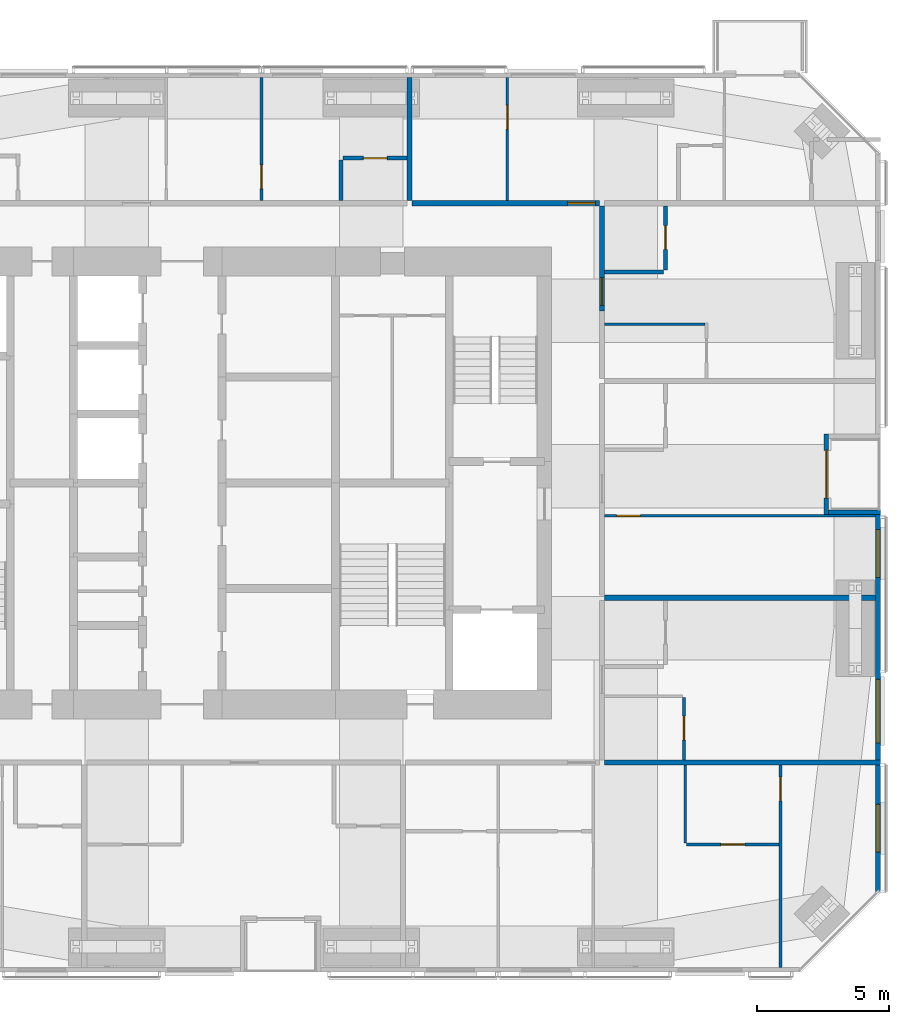
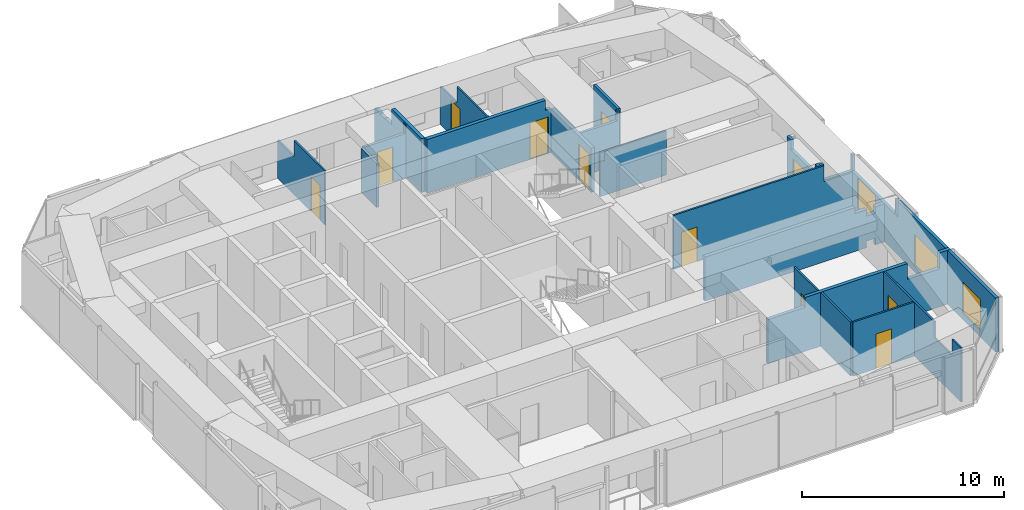
# One storey, part 17 of 19: 20 walls, 11 doors, 3 windows, 14 openings.
"""IFC4 building model written with IfcOpenShell, lengths in metres."""

from ifc_helpers import new_model, si_unit, direction, frame, frame_2d, origin, place, context, subcontext, project, spatial, polyline, rectangle, outline, extrude, material, constituent, constituent_set, type_object, element, fill, save


model = new_model("IFC4")

# Units and contexts
model_context = context("Model", 3, precision=1e-05, world=origin(), true_north=direction((0.0, 1.0)))
body_context = subcontext(model_context, "Body", "Model", "MODEL_VIEW")
ifc_project = project(units=[si_unit("LENGTHUNIT", "METRE"), si_unit("AREAUNIT", "SQUARE_METRE"), si_unit("VOLUMEUNIT", "CUBIC_METRE"), si_unit("PLANEANGLEUNIT", "RADIAN"), si_unit("MASSUNIT", "GRAM", prefix="KILO")], contexts=[model_context])

# Site, building, storey
site_placement = place(None, origin())
site = spatial("IfcSite", under=ifc_project, at=site_placement, CompositionType="ELEMENT")
building_placement = place(site_placement, origin())
building = spatial("IfcBuilding", under=site, at=building_placement, Name="Jalousie Tower", CompositionType="ELEMENT")
storey_placement = place(building_placement, frame((0.0, 0.0, 224.949951171875)))
storey = spatial("IfcBuildingStorey", under=building, at=storey_placement, Name="L61", CompositionType="ELEMENT", Elevation=224.949951171875)

# Wall, opening, door
ifc_material_1 = material(Name="Concrete block ASTM C90", Category="concrete")
ifc_constituent_1 = constituent(ifc_material_1, Name="Body")
ifc_material_2 = material(Name="Render")
ifc_constituent_2 = constituent(ifc_material_2, Name="Finish")
ifc_constituent_set_1 = constituent_set(constituents=[ifc_constituent_1, ifc_constituent_2])
wall_type_1 = type_object("IfcWallType", Name="BATHROOM WALL 150", PredefinedType="PLUMBINGWALL", material=ifc_constituent_set_1)
wall_1_placement = place(storey_placement, frame((36.175048828125, 30.77490234375, 0.0), z_axis=(0.0, 0.0, 1.0), x_axis=(1.0, 0.0, 0.0)))
wall_1 = element("IfcWall", 1, at=wall_1_placement, inside=storey, type_object=wall_type_1, Name="Bathroom Wall 150 L61", PredefinedType="PLUMBINGWALL", context=body_context, shape_type="SweptSolid", body=[
    extrude(outline(polyline([(0.0, 0.0), (2.425048828125, 0.0), (2.425048828125, 3.260009765625), (2.360107421875, 3.260009765625), (2.360107421875, 2.66015625), (0.0, 2.66015625), (0.0, 3.260009765625), (0.0, 0.0)])), frame((0.0, 0.074951171875, 0.0), z_axis=(0.0, -1.0, 0.0), x_axis=(1.0, 0.0, 0.0)), (0.0, 0.0, 1.0), 0.14990234375),
])
opening_1_placement = place(wall_1_placement, frame((0.77490234375, 0.0, 0.0)))
opening_1 = element("IfcOpeningElement", 2, at=opening_1_placement, cuts=wall_1, Name="Opening D3", PredefinedType="OPENING", context=body_context, shape_type="SweptSolid", body=[
    extrude(rectangle(XDim=0.89990234375, YDim=2.10009765625, at=frame_2d((0.449951171875, 1.050048828125))), frame((0.0, 0.0849609375, 0.0), z_axis=(0.0, -1.0, 0.0), x_axis=(1.0, 0.0, 0.0)), (0.0, 0.0, 1.0), 0.169921875),
])
ifc_material_3 = material(Name="Timber door", Category="wood")
door_type_1 = type_object("IfcDoorType", Name="BATHROOM DOOR 900", OperationType="SINGLE_SWING_LEFT", PredefinedType="DOOR", material=ifc_material_3)
door_1_placement = place(opening_1_placement, frame((0.89990234375, 0.0, 0.0), z_axis=(0.0, 0.0, 1.0), x_axis=(-1.0, 0.0, 0.0)))
door_1 = element("IfcDoor", 3, at=door_1_placement, inside=storey, type_object=door_type_1, Name="Apartment 6104 bathroom door", OperationType="SINGLE_SWING_LEFT", OverallHeight=2.10009765625, OverallWidth=0.89990234375, PredefinedType="DOOR", context=body_context, shape_type="SweptSolid", body=[
    extrude(rectangle(XDim=0.89990234375, YDim=2.10009765625, at=frame_2d((0.449951171875, 1.050048828125))), frame((0.0, 0.02490234375, 0.0), z_axis=(0.0, -1.0, 0.0), x_axis=(1.0, 0.0, 0.0)), (0.0, 0.0, 1.0), 0.050048828125),
])
fill(opening_1, door_1)

# Wall
wall_2_placement = place(storey_placement, frame((36.10009765625, 30.699951171875, 0.0), z_axis=(0.0, 0.0, 1.0), x_axis=(0.0, -1.0, 0.0)))
element("IfcWall", 4, at=wall_2_placement, inside=storey, type_object=wall_type_1, Name="Bathroom Wall 150 L61", PredefinedType="PLUMBINGWALL", context=body_context, shape_type="SweptSolid", body=[
    extrude(outline(polyline([(0.0, 0.0), (1.52490234375, 0.0), (1.52490234375, 3.260009765625), (1.52490234375, 2.66015625), (0.0, 2.66015625), (0.0, 3.260009765625), (0.0, 0.0)])), frame((0.0, 0.074951171875, 0.0), z_axis=(0.0, -1.0, 0.0), x_axis=(1.0, 0.0, 0.0)), (0.0, 0.0, 1.0), 0.14990234375),
])

# Wall, opening, door
wall_3_placement = place(storey_placement, frame((48.375, 26.550048828125, 0.0), z_axis=(0.0, 0.0, 1.0), x_axis=(0.0, 1.0, 0.0)))
wall_3 = element("IfcWall", 5, at=wall_3_placement, inside=storey, type_object=wall_type_1, Name="Bathroom Wall 150 L61", PredefinedType="PLUMBINGWALL", context=body_context, shape_type="SweptSolid", body=[
    extrude(rectangle(XDim=2.425048828125, YDim=0.14990234375, at=frame_2d((1.21240234375, 0.0))), origin(), (0.0, 0.0, 1.0), 3.260009765625),
])
opening_2_placement = place(wall_3_placement, frame((0.77490234375, 0.0, 0.0)))
opening_2 = element("IfcOpeningElement", 6, at=opening_2_placement, cuts=wall_3, Name="Opening D3", PredefinedType="OPENING", context=body_context, shape_type="SweptSolid", body=[
    extrude(rectangle(XDim=0.89990234375, YDim=2.10009765625, at=frame_2d((0.449951171875, 1.050048828125))), frame((0.0, 0.0849609375, 0.0), z_axis=(0.0, -1.0, 0.0), x_axis=(1.0, 0.0, 0.0)), (0.0, 0.0, 1.0), 0.169921875),
])
door_2_placement = place(opening_2_placement, origin())
door_2 = element("IfcDoor", 7, at=door_2_placement, inside=storey, type_object=door_type_1, Name="Apartment 6108 bathroom door", OperationType="SINGLE_SWING_RIGHT", OverallHeight=2.10009765625, OverallWidth=0.89990234375, PredefinedType="DOOR", context=body_context, shape_type="SweptSolid", body=[
    extrude(rectangle(XDim=0.89990234375, YDim=2.10009765625, at=frame_2d((0.449951171875, 1.050048828125))), frame((0.0, 0.02490234375, 0.0), z_axis=(0.0, -1.0, 0.0), x_axis=(1.0, 0.0, 0.0)), (0.0, 0.0, 1.0), 0.050048828125),
])
fill(opening_2, door_2)

# Wall
wall_4_placement = place(storey_placement, frame((48.300048828125, 26.47509765625, 0.0), z_axis=(0.0, 0.0, 1.0), x_axis=(-1.0, 0.0, 0.0)))
element("IfcWall", 8, at=wall_4_placement, inside=storey, type_object=wall_type_1, Name="Bathroom Wall 150 L61", PredefinedType="PLUMBINGWALL", context=body_context, shape_type="SweptSolid", body=[
    extrude(outline(polyline([(0.0, 0.0), (2.22509765625, 0.0), (2.22509765625, 3.260009765625), (2.22509765625, 2.66015625), (0.139892578125, 2.66015625), (0.139892578125, 3.260009765625), (0.0, 3.260009765625), (0.0, 0.0)])), frame((0.0, 0.074951171875, 0.0), z_axis=(0.0, -1.0, 0.0), x_axis=(1.0, 0.0, 0.0)), (0.0, 0.0, 1.0), 0.14990234375),
])

# Wall, opening, door
ifc_material_4 = material(Name="Concrete block ASTM C90", Category="concrete")
ifc_constituent_3 = constituent(ifc_material_4, Name="Body")
ifc_material_5 = material(Name="Render")
ifc_constituent_4 = constituent(ifc_material_5, Name="Finish")
ifc_constituent_set_2 = constituent_set(constituents=[ifc_constituent_3, ifc_constituent_4])
wall_type_2 = type_object("IfcWallType", Name="CORRIDOR WALL 200", PredefinedType="PARTITIONING", material=ifc_constituent_set_2)
wall_5_placement = place(storey_placement, frame((38.800048828125, 29.074951171875, 0.0), z_axis=(0.0, 0.0, 1.0), x_axis=(1.0, 0.0, 0.0)))
wall_5 = element("IfcWall", 9, at=wall_5_placement, inside=storey, type_object=wall_type_2, Name="Corridor Wall 200 L61", PredefinedType="PARTITIONING", context=body_context, shape_type="SweptSolid", body=[
    extrude(outline(polyline([(0.0, 0.0), (7.074951171875, 0.0), (7.074951171875, 3.260009765625), (7.074951171875, 2.66015625), (6.764892578125, 2.66015625), (6.764892578125, 3.260009765625), (0.0, 3.260009765625), (0.0, 0.0)])), frame((0.0, 0.10009765625, 0.0), z_axis=(0.0, -1.0, 0.0), x_axis=(1.0, 0.0, 0.0)), (0.0, 0.0, 1.0), 0.199951171875),
])
opening_3_placement = place(wall_5_placement, frame((5.875, 0.0, 0.0)))
opening_3 = element("IfcOpeningElement", 10, at=opening_3_placement, cuts=wall_5, Name="Opening D1", PredefinedType="OPENING", context=body_context, shape_type="SweptSolid", body=[
    extrude(rectangle(XDim=1.050048828125, YDim=2.199951171875, at=frame_2d((0.52490234375, 1.10009765625))), frame((0.0, 0.10986328125, 0.0), z_axis=(0.0, -1.0, 0.0), x_axis=(1.0, 0.0, 0.0)), (0.0, 0.0, 1.0), 0.219970703125),
])
ifc_material_6 = material(Name="Timber fire door", Category="wood")
door_type_2 = type_object("IfcDoorType", Name="APARTMENT ENTRANCE DOOR 1050", OperationType="SINGLE_SWING_LEFT", PredefinedType="DOOR", material=ifc_material_6)
door_3_placement = place(opening_3_placement, origin())
door_3 = element("IfcDoor", 11, at=door_3_placement, inside=storey, type_object=door_type_2, Name="Apartment 6105 entrance", OperationType="SINGLE_SWING_LEFT", OverallHeight=2.199951171875, OverallWidth=1.050048828125, PredefinedType="DOOR", context=body_context, shape_type="SweptSolid", body=[
    extrude(rectangle(XDim=1.050048828125, YDim=2.199951171875, at=frame_2d((0.52490234375, 1.10009765625))), frame((0.0, 0.02490234375, 0.0), z_axis=(0.0, -1.0, 0.0), x_axis=(1.0, 0.0, 0.0)), (0.0, 0.0, 1.0), 0.050048828125),
])
fill(opening_3, door_3)

wall_6_placement = place(storey_placement, frame((45.97509765625, 25.0, 0.0), z_axis=(0.0, 0.0, 1.0), x_axis=(0.0, 1.0, 0.0)))
wall_6 = element("IfcWall", 12, at=wall_6_placement, inside=storey, type_object=wall_type_2, Name="Corridor Wall 200 L61-B", PredefinedType="PARTITIONING", context=body_context, shape_type="SweptSolid", body=[
    extrude(rectangle(XDim=3.97509765625, YDim=0.199951171875, at=frame_2d((1.987548828125, 0.0))), origin(), (0.0, 0.0, 1.0), 2.66015625),
])
opening_4_placement = place(wall_6_placement, frame((0.21240234375, 0.0, 0.0)))
opening_4 = element("IfcOpeningElement", 13, at=opening_4_placement, cuts=wall_6, Name="Opening D1", PredefinedType="OPENING", context=body_context, shape_type="SweptSolid", body=[
    extrude(rectangle(XDim=1.050048828125, YDim=2.199951171875, at=frame_2d((0.52490234375, 1.10009765625))), frame((0.0, 0.10986328125, 0.0), z_axis=(0.0, -1.0, 0.0), x_axis=(1.0, 0.0, 0.0)), (0.0, 0.0, 1.0), 0.219970703125),
])
door_4_placement = place(opening_4_placement, frame((1.050048828125, 0.0, 0.0), z_axis=(0.0, 0.0, 1.0), x_axis=(-1.0, 0.0, 0.0)))
door_4 = element("IfcDoor", 14, at=door_4_placement, inside=storey, type_object=door_type_2, Name="Apartment 6108 entrance", OperationType="SINGLE_SWING_LEFT", OverallHeight=2.199951171875, OverallWidth=1.050048828125, PredefinedType="DOOR", context=body_context, shape_type="SweptSolid", body=[
    extrude(rectangle(XDim=1.050048828125, YDim=2.199951171875, at=frame_2d((0.52490234375, 1.10009765625))), frame((0.0, 0.02490234375, 0.0), z_axis=(0.0, -1.0, 0.0), x_axis=(1.0, 0.0, 0.0)), (0.0, 0.0, 1.0), 0.050048828125),
])
fill(opening_4, door_4)

# Wall, openings, windows
ifc_material_7 = material(Name="Concrete f'c 40 MPa", Category="concrete")
ifc_constituent_5 = constituent(ifc_material_7, Name="Body")
ifc_material_8 = material(Name="Render, pastel sky blue")
ifc_constituent_6 = constituent(ifc_material_8, Name="Finish")
ifc_constituent_set_3 = constituent_set(constituents=[ifc_constituent_5, ifc_constituent_6])
wall_type_3 = type_object("IfcWallType", Name="EXTERNAL WALL 175 SKY BLUE RENDER", PredefinedType="SOLIDWALL", material=ifc_constituent_set_3)
wall_7_placement = place(storey_placement, frame((56.41259765625, 3.05126953125, 0.0), z_axis=(0.0, 0.0, 1.0), x_axis=(0.0, 1.0, 0.0)))
wall_7 = element("IfcWall", 15, at=wall_7_placement, inside=storey, type_object=wall_type_3, Name="External Wall 175 Sky Blue Render L61", PredefinedType="SOLIDWALL", context=body_context, shape_type="SweptSolid", body=[
    extrude(outline(polyline([(0.0, 0.0), (14.248779296875, 0.0), (14.248779296875, 2.300048828125), (9.94873046875, 2.300048828125), (9.94873046875, 3.260009765625), (9.8583984375, 3.260009765625), (9.8583984375, 2.300048828125), (9.6875, 2.300048828125), (9.6875, 3.260009765625), (0.0, 3.260009765625), (0.0, 0.0)])), frame((0.0, 0.08740234375, 0.0), z_axis=(0.0, -1.0, 0.0), x_axis=(1.0, 0.0, 0.0)), (0.0, 0.0, 1.0), 0.175048828125),
])
opening_5_placement = place(wall_7_placement, frame((1.48681640625, 0.0, 0.39990234375)))
opening_5 = element("IfcOpeningElement", 16, at=opening_5_placement, cuts=wall_7, Name="Opening W-BED185", PredefinedType="OPENING", context=body_context, shape_type="SweptSolid", body=[
    extrude(rectangle(XDim=1.800048828125, YDim=1.85009765625, at=frame_2d((0.89990234375, 0.925048828125))), frame((0.0, 0.097412109375, 0.0), z_axis=(0.0, -1.0, 0.0), x_axis=(1.0, 0.0, 0.0)), (0.0, 0.0, 1.0), 0.195068359375),
])
opening_6_placement = place(wall_7_placement, frame((5.6162109375, 0.0, 0.39990234375)))
opening_6 = element("IfcOpeningElement", 17, at=opening_6_placement, cuts=wall_7, Name="Opening W-LIV185", PredefinedType="OPENING", context=body_context, shape_type="SweptSolid", body=[
    extrude(rectangle(XDim=2.39990234375, YDim=1.85009765625, at=frame_2d((1.199951171875, 0.925048828125))), frame((0.0, 0.097412109375, 0.0), z_axis=(0.0, -1.0, 0.0), x_axis=(1.0, 0.0, 0.0)), (0.0, 0.0, 1.0), 0.195068359375),
])
opening_7_placement = place(wall_7_placement, frame((11.875, 0.0, 0.39990234375)))
opening_7 = element("IfcOpeningElement", 18, at=opening_7_placement, cuts=wall_7, Name="Opening W-BED185", PredefinedType="OPENING", context=body_context, shape_type="SweptSolid", body=[
    extrude(rectangle(XDim=1.800048828125, YDim=1.85009765625, at=frame_2d((0.89990234375, 0.925048828125))), frame((0.0, 0.097412109375, 0.0), z_axis=(0.0, -1.0, 0.0), x_axis=(1.0, 0.0, 0.0)), (0.0, 0.0, 1.0), 0.195068359375),
])
ifc_material_9 = material(Name="Aluminium frame, impact-rated glazing", Category="aluminium")
window_type_1 = type_object("IfcWindowType", Name="WINDOW BED 1800x1850", PartitioningType="SINGLE_PANEL", PredefinedType="WINDOW", material=ifc_material_9)
window_1_placement = place(opening_5_placement, origin())
window_1 = element("IfcWindow", 19, at=window_1_placement, inside=storey, type_object=window_type_1, Name="Apartment 6103 study window", OverallHeight=1.85009765625, OverallWidth=1.800048828125, PartitioningType="SINGLE_PANEL", PredefinedType="WINDOW", context=body_context, shape_type="SweptSolid", body=[
    extrude(rectangle(XDim=1.800048828125, YDim=1.85009765625, at=frame_2d((0.89990234375, 0.925048828125))), frame((0.0, 0.030029296875, 0.0), z_axis=(0.0, -1.0, 0.0), x_axis=(1.0, 0.0, 0.0)), (0.0, 0.0, 1.0), 0.06005859375),
])
fill(opening_5, window_1)
window_2_placement = place(opening_7_placement, origin())
window_2 = element("IfcWindow", 20, at=window_2_placement, inside=storey, type_object=window_type_1, Name="Apartment 6107 study window", OverallHeight=1.85009765625, OverallWidth=1.800048828125, PartitioningType="SINGLE_PANEL", PredefinedType="WINDOW", context=body_context, shape_type="SweptSolid", body=[
    extrude(rectangle(XDim=1.800048828125, YDim=1.85009765625, at=frame_2d((0.89990234375, 0.925048828125))), frame((0.0, 0.030029296875, 0.0), z_axis=(0.0, -1.0, 0.0), x_axis=(1.0, 0.0, 0.0)), (0.0, 0.0, 1.0), 0.06005859375),
])
fill(opening_7, window_2)
ifc_material_10 = material(Name="Aluminium frame, impact-rated glazing", Category="aluminium")
window_type_2 = type_object("IfcWindowType", Name="WINDOW LIV 2400x1850", PartitioningType="DOUBLE_PANEL_VERTICAL", PredefinedType="WINDOW", material=ifc_material_10)
window_3_placement = place(opening_6_placement, origin())
window_3 = element("IfcWindow", 21, at=window_3_placement, inside=storey, type_object=window_type_2, Name="Apartment 6106 studio living and sleeping room window", OverallHeight=1.85009765625, OverallWidth=2.39990234375, PartitioningType="SINGLE_PANEL", PredefinedType="WINDOW", context=body_context, shape_type="SweptSolid", body=[
    extrude(rectangle(XDim=2.39990234375, YDim=1.85009765625, at=frame_2d((1.199951171875, 0.925048828125))), frame((0.0, 0.030029296875, 0.0), z_axis=(0.0, -1.0, 0.0), x_axis=(1.0, 0.0, 0.0)), (0.0, 0.0, 1.0), 0.06005859375),
])
fill(opening_6, window_3)

# Wall, opening, door
wall_8_placement = place(storey_placement, frame((54.46240234375, 17.300048828125, 0.0), z_axis=(0.0, 0.0, 1.0), x_axis=(0.0, 1.0, 0.0)))
wall_8 = element("IfcWall", 22, at=wall_8_placement, inside=storey, type_object=wall_type_3, Name="External Wall 175 Sky Blue Render L61", PredefinedType="SOLIDWALL", context=body_context, shape_type="SweptSolid", body=[
    extrude(outline(polyline([(0.0, 0.0), (3.050048828125, 0.0), (3.050048828125, 3.260009765625), (2.64990234375, 3.260009765625), (2.64990234375, 2.66015625), (0.25, 2.66015625), (0.25, 3.260009765625), (0.0, 3.260009765625), (0.0, 0.0)])), frame((0.0, 0.08740234375, 0.0), z_axis=(0.0, -1.0, 0.0), x_axis=(1.0, 0.0, 0.0)), (0.0, 0.0, 1.0), 0.175048828125),
])
opening_8_placement = place(wall_8_placement, frame((0.625, 0.0, 0.0)))
opening_8 = element("IfcOpeningElement", 23, at=opening_8_placement, cuts=wall_8, Name="Opening D-BAL22", PredefinedType="OPENING", context=body_context, shape_type="SweptSolid", body=[
    extrude(rectangle(XDim=1.800048828125, YDim=2.25, at=frame_2d((0.89990234375, 1.125))), frame((0.0, 0.097412109375, 0.0), z_axis=(0.0, -1.0, 0.0), x_axis=(1.0, 0.0, 0.0)), (0.0, 0.0, 1.0), 0.195068359375),
])
ifc_material_11 = material(Name="Aluminium frame, impact-rated glazing", Category="aluminium")
door_type_3 = type_object("IfcDoorType", Name="BALCONY DOOR 1800x2250", OperationType="SLIDING_TO_LEFT", PredefinedType="DOOR", material=ifc_material_11)
door_5_placement = place(opening_8_placement, origin())
door_5 = element("IfcDoor", 24, at=door_5_placement, inside=storey, type_object=door_type_3, Name="Apartment 6107 studio kitchen, living and sleeping room loggia door", OperationType="SLIDING_TO_LEFT", OverallHeight=2.25, OverallWidth=1.800048828125, PredefinedType="DOOR", context=body_context, shape_type="SweptSolid", body=[
    extrude(rectangle(XDim=1.800048828125, YDim=2.25, at=frame_2d((0.89990234375, 1.125))), frame((0.0, 0.02490234375, 0.0), z_axis=(0.0, -1.0, 0.0), x_axis=(1.0, 0.0, 0.0)), (0.0, 0.0, 1.0), 0.050048828125),
])
fill(opening_8, door_5)

# Wall
wall_9_placement = place(storey_placement, frame((56.5, 17.387451171875, 0.0), z_axis=(0.0, 0.0, 1.0), x_axis=(-1.0, 0.0, 0.0)))
element("IfcWall", 25, at=wall_9_placement, inside=storey, type_object=wall_type_3, Name="External Wall 175 Sky Blue Render L61", PredefinedType="SOLIDWALL", context=body_context, shape_type="SweptSolid", body=[
    extrude(outline(polyline([(0.0, 0.0), (1.949951171875, 0.0), (1.949951171875, 3.260009765625), (1.75, 3.260009765625), (1.75, 2.300048828125), (0.14990234375, 2.300048828125), (0.14990234375, 3.260009765625), (0.0, 3.260009765625), (0.0, 0.0)])), frame((0.0, 0.08740234375, 0.0), z_axis=(0.0, -1.0, 0.0), x_axis=(1.0, 0.0, 0.0)), (0.0, 0.0, 1.0), 0.175048828125),
])

# Wall, opening, door
ifc_material_12 = material(Name="Gypsum board", Category="gypsum")
ifc_constituent_7 = constituent(ifc_material_12, Name="Body")
ifc_material_13 = material(Name="Light-gauge steel studs ASTM A653 SS Grade 33", Category="steel")
ifc_constituent_8 = constituent(ifc_material_13, Name="Framing")
ifc_constituent_set_4 = constituent_set(constituents=[ifc_constituent_7, ifc_constituent_8])
wall_type_4 = type_object("IfcWallType", Name="PARTITION 100", PredefinedType="PARTITIONING", material=ifc_constituent_set_4)
wall_10_placement = place(storey_placement, frame((52.72509765625, 0.175048828125, 0.0), z_axis=(0.0, 0.0, 1.0), x_axis=(0.0, 1.0, 0.0)))
wall_10 = element("IfcWall", 26, at=wall_10_placement, inside=storey, type_object=wall_type_4, Name="Partition 100 L61", PredefinedType="PARTITIONING", context=body_context, shape_type="SweptSolid", body=[
    extrude(outline(polyline([(0.0, 0.0), (7.64990234375, 0.0), (7.64990234375, 3.260009765625), (2.638671875, 3.260009765625), (2.638671875, 2.300048828125), (0.89404296875, 2.300048828125), (0.89404296875, 3.260009765625), (0.0, 3.260009765625), (0.0, 0.0)])), frame((0.0, 0.050048828125, 0.0), z_axis=(0.0, -1.0, 0.0), x_axis=(1.0, 0.0, 0.0)), (0.0, 0.0, 1.0), 0.10009765625),
])
opening_9_placement = place(wall_10_placement, frame((6.300048828125, 0.0, 0.0)))
opening_9 = element("IfcOpeningElement", 27, at=opening_9_placement, cuts=wall_10, Name="Opening D2", PredefinedType="OPENING", context=body_context, shape_type="SweptSolid", body=[
    extrude(rectangle(XDim=0.89990234375, YDim=2.10009765625, at=frame_2d((0.449951171875, 1.050048828125))), frame((0.0, 0.06005859375, 0.0), z_axis=(0.0, -1.0, 0.0), x_axis=(1.0, 0.0, 0.0)), (0.0, 0.0, 1.0), 0.1201171875),
])
ifc_material_14 = material(Name="Timber door", Category="wood")
door_type_4 = type_object("IfcDoorType", Name="BEDROOM DOOR 900", OperationType="SINGLE_SWING_LEFT", PredefinedType="DOOR", material=ifc_material_14)
door_6_placement = place(opening_9_placement, frame((0.89990234375, 0.0, 0.0), z_axis=(0.0, 0.0, 1.0), x_axis=(-1.0, 0.0, 0.0)))
door_6 = element("IfcDoor", 28, at=door_6_placement, inside=storey, type_object=door_type_4, Name="Apartment 6103 study door", OperationType="SINGLE_SWING_LEFT", OverallHeight=2.10009765625, OverallWidth=0.89990234375, PredefinedType="DOOR", context=body_context, shape_type="SweptSolid", body=[
    extrude(rectangle(XDim=0.89990234375, YDim=2.10009765625, at=frame_2d((0.449951171875, 1.050048828125))), frame((0.0, 0.02490234375, 0.0), z_axis=(0.0, -1.0, 0.0), x_axis=(1.0, 0.0, 0.0)), (0.0, 0.0, 1.0), 0.050048828125),
])
fill(opening_9, door_6)

wall_11_placement = place(storey_placement, frame((49.175048828125, 4.824951171875, 0.0), z_axis=(0.0, 0.0, 1.0), x_axis=(1.0, 0.0, 0.0)))
wall_11 = element("IfcWall", 29, at=wall_11_placement, inside=storey, type_object=wall_type_4, Name="Partition 100 L61", PredefinedType="PARTITIONING", context=body_context, shape_type="SweptSolid", body=[
    extrude(rectangle(XDim=3.5, YDim=0.10009765625, at=frame_2d((1.75, 0.0))), origin(), (0.0, 0.0, 1.0), 3.260009765625),
])
opening_10_placement = place(wall_11_placement, frame((1.300048828125, 0.0, 0.0)))
opening_10 = element("IfcOpeningElement", 30, at=opening_10_placement, cuts=wall_11, Name="Opening D7", PredefinedType="OPENING", context=body_context, shape_type="SweptSolid", body=[
    extrude(rectangle(XDim=0.89990234375, YDim=2.10009765625, at=frame_2d((0.449951171875, 1.050048828125))), frame((0.0, 0.06005859375, 0.0), z_axis=(0.0, -1.0, 0.0), x_axis=(1.0, 0.0, 0.0)), (0.0, 0.0, 1.0), 0.1201171875),
])
ifc_material_15 = material(Name="Timber door", Category="wood")
door_type_5 = type_object("IfcDoorType", Name="INTERNAL DOOR 900", OperationType="SINGLE_SWING_LEFT", PredefinedType="DOOR", material=ifc_material_15)
door_7_placement = place(opening_10_placement, frame((0.89990234375, 0.0, 0.0), z_axis=(0.0, 0.0, 1.0), x_axis=(-1.0, 0.0, 0.0)))
door_7 = element("IfcDoor", 31, at=door_7_placement, inside=storey, type_object=door_type_5, Name="Apartment 6103 kitchen door", OperationType="SINGLE_SWING_LEFT", OverallHeight=2.10009765625, OverallWidth=0.89990234375, PredefinedType="DOOR", context=body_context, shape_type="SweptSolid", body=[
    extrude(rectangle(XDim=0.89990234375, YDim=2.10009765625, at=frame_2d((0.449951171875, 1.050048828125))), frame((0.0, 0.02490234375, 0.0), z_axis=(0.0, -1.0, 0.0), x_axis=(1.0, 0.0, 0.0)), (0.0, 0.0, 1.0), 0.050048828125),
])
fill(opening_10, door_7)

# Wall
wall_12_placement = place(storey_placement, frame((49.125, 4.875, 0.0), z_axis=(0.0, 0.0, 1.0), x_axis=(0.0, 1.0, 0.0)))
element("IfcWall", 32, at=wall_12_placement, inside=storey, type_object=wall_type_4, Name="Partition 100 L61", PredefinedType="PARTITIONING", context=body_context, shape_type="SweptSolid", body=[
    extrude(rectangle(XDim=2.949951171875, YDim=0.10009765625, at=frame_2d((1.47509765625, 0.0))), origin(), (0.0, 0.0, 1.0), 3.260009765625),
])

# Wall, opening, door
wall_13_placement = place(storey_placement, frame((33.10009765625, 33.824951171875, 0.0), z_axis=(0.0, 0.0, 1.0), x_axis=(0.0, -1.0, 0.0)))
wall_13 = element("IfcWall", 33, at=wall_13_placement, inside=storey, type_object=wall_type_4, Name="Partition 100 L61", PredefinedType="PARTITIONING", context=body_context, shape_type="SweptSolid", body=[
    extrude(outline(polyline([(0.0, 0.0), (4.64990234375, 0.0), (4.64990234375, 3.260009765625), (1.635009765625, 3.260009765625), (1.635009765625, 2.300048828125), (0.0, 2.300048828125), (0.0, 3.260009765625), (0.0, 0.0)])), frame((0.0, 0.050048828125, 0.0), z_axis=(0.0, -1.0, 0.0), x_axis=(1.0, 0.0, 0.0)), (0.0, 0.0, 1.0), 0.10009765625),
])
opening_11_placement = place(wall_13_placement, frame((3.300048828125, 0.0, 0.0)))
opening_11 = element("IfcOpeningElement", 34, at=opening_11_placement, cuts=wall_13, Name="Opening D2", PredefinedType="OPENING", context=body_context, shape_type="SweptSolid", body=[
    extrude(rectangle(XDim=0.89990234375, YDim=2.10009765625, at=frame_2d((0.449951171875, 1.050048828125))), frame((0.0, 0.06005859375, 0.0), z_axis=(0.0, -1.0, 0.0), x_axis=(1.0, 0.0, 0.0)), (0.0, 0.0, 1.0), 0.1201171875),
])
door_8_placement = place(opening_11_placement, frame((0.89990234375, 0.0, 0.0), z_axis=(0.0, 0.0, 1.0), x_axis=(-1.0, 0.0, 0.0)))
door_8 = element("IfcDoor", 35, at=door_8_placement, inside=storey, type_object=door_type_4, Name="Apartment 6104 bedroom 1 door", OperationType="SINGLE_SWING_LEFT", OverallHeight=2.10009765625, OverallWidth=0.89990234375, PredefinedType="DOOR", context=body_context, shape_type="SweptSolid", body=[
    extrude(rectangle(XDim=0.89990234375, YDim=2.10009765625, at=frame_2d((0.449951171875, 1.050048828125))), frame((0.0, 0.02490234375, 0.0), z_axis=(0.0, -1.0, 0.0), x_axis=(1.0, 0.0, 0.0)), (0.0, 0.0, 1.0), 0.050048828125),
])
fill(opening_11, door_8)

wall_14_placement = place(storey_placement, frame((42.39990234375, 33.824951171875, 0.0), z_axis=(0.0, 0.0, 1.0), x_axis=(0.0, -1.0, 0.0)))
wall_14 = element("IfcWall", 36, at=wall_14_placement, inside=storey, type_object=wall_type_4, Name="Partition 100 L61", PredefinedType="PARTITIONING", context=body_context, shape_type="SweptSolid", body=[
    extrude(outline(polyline([(0.0, 0.0), (4.64990234375, 0.0), (4.64990234375, 3.260009765625), (1.635009765625, 3.260009765625), (1.635009765625, 2.300048828125), (0.0, 2.300048828125), (0.0, 3.260009765625), (0.0, 0.0)])), frame((0.0, 0.050048828125, 0.0), z_axis=(0.0, -1.0, 0.0), x_axis=(1.0, 0.0, 0.0)), (0.0, 0.0, 1.0), 0.10009765625),
])
opening_12_placement = place(wall_14_placement, frame((1.050048828125, 0.0, 0.0)))
opening_12 = element("IfcOpeningElement", 37, at=opening_12_placement, cuts=wall_14, Name="Opening D2", PredefinedType="OPENING", context=body_context, shape_type="SweptSolid", body=[
    extrude(rectangle(XDim=0.89990234375, YDim=2.10009765625, at=frame_2d((0.449951171875, 1.050048828125))), frame((0.0, 0.06005859375, 0.0), z_axis=(0.0, -1.0, 0.0), x_axis=(1.0, 0.0, 0.0)), (0.0, 0.0, 1.0), 0.1201171875),
])
door_9_placement = place(opening_12_placement, frame((0.89990234375, 0.0, 0.0), z_axis=(0.0, 0.0, 1.0), x_axis=(-1.0, 0.0, 0.0)))
door_9 = element("IfcDoor", 38, at=door_9_placement, inside=storey, type_object=door_type_4, Name="Apartment 6105 bedroom 2 door", OperationType="SINGLE_SWING_RIGHT", OverallHeight=2.10009765625, OverallWidth=0.89990234375, PredefinedType="DOOR", context=body_context, shape_type="SweptSolid", body=[
    extrude(rectangle(XDim=0.89990234375, YDim=2.10009765625, at=frame_2d((0.449951171875, 1.050048828125))), frame((0.0, 0.02490234375, 0.0), z_axis=(0.0, -1.0, 0.0), x_axis=(1.0, 0.0, 0.0)), (0.0, 0.0, 1.0), 0.050048828125),
])
fill(opening_12, door_9)

wall_15_placement = place(storey_placement, frame((49.074951171875, 8.02490234375, 0.0), z_axis=(0.0, 0.0, 1.0), x_axis=(0.0, 1.0, 0.0)))
wall_15 = element("IfcWall", 39, at=wall_15_placement, inside=storey, type_object=wall_type_4, Name="Partition 100 L61", PredefinedType="PARTITIONING", context=body_context, shape_type="SweptSolid", body=[
    extrude(rectangle(XDim=2.35009765625, YDim=0.10009765625, at=frame_2d((1.175048828125, 0.0))), origin(), (0.0, 0.0, 1.0), 3.260009765625),
])
opening_13_placement = place(wall_15_placement, frame((0.75, 0.0, 0.0)))
opening_13 = element("IfcOpeningElement", 40, at=opening_13_placement, cuts=wall_15, Name="Opening D7", PredefinedType="OPENING", context=body_context, shape_type="SweptSolid", body=[
    extrude(rectangle(XDim=0.89990234375, YDim=2.10009765625, at=frame_2d((0.449951171875, 1.050048828125))), frame((0.0, 0.06005859375, 0.0), z_axis=(0.0, -1.0, 0.0), x_axis=(1.0, 0.0, 0.0)), (0.0, 0.0, 1.0), 0.1201171875),
])
door_10_placement = place(opening_13_placement, origin())
door_10 = element("IfcDoor", 41, at=door_10_placement, inside=storey, type_object=door_type_5, Name="Apartment 6106 kitchen door", OperationType="SINGLE_SWING_RIGHT", OverallHeight=2.10009765625, OverallWidth=0.89990234375, PredefinedType="DOOR", context=body_context, shape_type="SweptSolid", body=[
    extrude(rectangle(XDim=0.89990234375, YDim=2.10009765625, at=frame_2d((0.449951171875, 1.050048828125))), frame((0.0, 0.02490234375, 0.0), z_axis=(0.0, -1.0, 0.0), x_axis=(1.0, 0.0, 0.0)), (0.0, 0.0, 1.0), 0.050048828125),
])
fill(opening_13, door_10)

wall_16_placement = place(storey_placement, frame((56.324951171875, 17.25, 0.0), z_axis=(0.0, 0.0, 1.0), x_axis=(-1.0, 0.0, 0.0)))
wall_16 = element("IfcWall", 42, at=wall_16_placement, inside=storey, type_object=wall_type_4, Name="Partition 100 L61", PredefinedType="PARTITIONING", context=body_context, shape_type="SweptSolid", body=[
    extrude(outline(polyline([(0.0, 0.0), (10.25, 0.0), (10.25, 3.260009765625), (1.635009765625, 3.260009765625), (1.635009765625, 2.300048828125), (0.0, 2.300048828125), (0.0, 3.260009765625), (0.0, 0.0)])), frame((0.0, 0.050048828125, 0.0), z_axis=(0.0, -1.0, 0.0), x_axis=(1.0, 0.0, 0.0)), (0.0, 0.0, 1.0), 0.10009765625),
])
opening_14_placement = place(wall_16_placement, frame((8.89990234375, 0.0, 0.0)))
opening_14 = element("IfcOpeningElement", 43, at=opening_14_placement, cuts=wall_16, Name="Opening D2", PredefinedType="OPENING", context=body_context, shape_type="SweptSolid", body=[
    extrude(rectangle(XDim=0.89990234375, YDim=2.10009765625, at=frame_2d((0.449951171875, 1.050048828125))), frame((0.0, 0.06005859375, 0.0), z_axis=(0.0, -1.0, 0.0), x_axis=(1.0, 0.0, 0.0)), (0.0, 0.0, 1.0), 0.1201171875),
])
door_11_placement = place(opening_14_placement, origin())
door_11 = element("IfcDoor", 44, at=door_11_placement, inside=storey, type_object=door_type_4, Name="Apartment 6107 study door", OperationType="SINGLE_SWING_RIGHT", OverallHeight=2.10009765625, OverallWidth=0.89990234375, PredefinedType="DOOR", context=body_context, shape_type="SweptSolid", body=[
    extrude(rectangle(XDim=0.89990234375, YDim=2.10009765625, at=frame_2d((0.449951171875, 1.050048828125))), frame((0.0, 0.02490234375, 0.0), z_axis=(0.0, -1.0, 0.0), x_axis=(1.0, 0.0, 0.0)), (0.0, 0.0, 1.0), 0.050048828125),
])
fill(opening_14, door_11)

# Walls
wall_17_placement = place(storey_placement, frame((46.074951171875, 24.5, 0.0), z_axis=(0.0, 0.0, 1.0), x_axis=(1.0, 0.0, 0.0)))
element("IfcWall", 45, at=wall_17_placement, inside=storey, type_object=wall_type_4, Name="Partition 100 L61", PredefinedType="PARTITIONING", context=body_context, shape_type="SweptSolid", body=[
    extrude(outline(polyline([(0.0, 0.0), (3.800048828125, 0.0), (3.800048828125, 3.260009765625), (3.800048828125, 2.66015625), (0.0, 2.66015625), (0.0, 3.260009765625), (0.0, 0.0)])), frame((0.0, 0.050048828125, 0.0), z_axis=(0.0, -1.0, 0.0), x_axis=(1.0, 0.0, 0.0)), (0.0, 0.0, 1.0), 0.10009765625),
])
ifc_material_16 = material(Name="Concrete block ASTM C90", Category="concrete")
ifc_constituent_9 = constituent(ifc_material_16, Name="Body")
ifc_material_17 = material(Name="Render")
ifc_constituent_10 = constituent(ifc_material_17, Name="Finish")
ifc_constituent_set_5 = constituent_set(constituents=[ifc_constituent_9, ifc_constituent_10])
wall_type_5 = type_object("IfcWallType", Name="PARTY WALL 200", PredefinedType="PARTITIONING", material=ifc_constituent_set_5)
wall_18_placement = place(storey_placement, frame((46.074951171875, 7.925048828125, 0.0), z_axis=(0.0, 0.0, 1.0), x_axis=(1.0, 0.0, 0.0)))
element("IfcWall", 46, at=wall_18_placement, inside=storey, type_object=wall_type_5, Name="Party Wall 200 L61", PredefinedType="PARTITIONING", context=body_context, shape_type="SweptSolid", body=[
    extrude(outline(polyline([(0.0, 0.0), (10.425048828125, 0.0), (10.425048828125, 3.260009765625), (9.800048828125, 3.260009765625), (9.800048828125, 2.300048828125), (7.9677734375, 2.300048828125), (7.9677734375, 3.260009765625), (2.110107421875, 3.260009765625), (2.110107421875, 2.66015625), (0.0, 2.66015625), (0.0, 3.260009765625), (0.0, 0.0)])), frame((0.0, 0.10009765625, 0.0), z_axis=(0.0, -1.0, 0.0), x_axis=(1.0, 0.0, 0.0)), (0.0, 0.0, 1.0), 0.199951171875),
])
wall_19_placement = place(storey_placement, frame((38.699951171875, 33.824951171875, 0.0), z_axis=(0.0, 0.0, 1.0), x_axis=(0.0, -1.0, 0.0)))
element("IfcWall", 47, at=wall_19_placement, inside=storey, type_object=wall_type_5, Name="Party Wall 200 L61", PredefinedType="PARTITIONING", context=body_context, shape_type="SweptSolid", body=[
    extrude(outline(polyline([(0.52880859375, 2.300048828125), (0.0, 2.300048828125), (0.0, 0.0), (0.52880859375, 0.0), (0.52880859375, 0.051513671875), (1.021240234375, 0.051513671875), (1.021240234375, 0.0), (4.64990234375, 0.0), (4.64990234375, 3.260009765625), (1.68505859375, 3.260009765625), (1.68505859375, 2.300048828125), (1.021240234375, 2.300048828125), (1.021240234375, 2.24853515625), (0.52880859375, 2.24853515625), (0.52880859375, 2.300048828125)])), frame((0.0, 0.10009765625, 0.0), z_axis=(0.0, -1.0, 0.0), x_axis=(1.0, 0.0, 0.0)), (0.0, 0.0, 1.0), 0.199951171875),
])
wall_20_placement = place(storey_placement, frame((56.324951171875, 14.14990234375, 0.0), z_axis=(0.0, 0.0, 1.0), x_axis=(-1.0, 0.0, 0.0)))
element("IfcWall", 48, at=wall_20_placement, inside=storey, type_object=wall_type_5, Name="Party Wall 200 L61", PredefinedType="PARTITIONING", context=body_context, shape_type="SweptSolid", body=[
    extrude(outline(polyline([(0.52880859375, 2.300048828125), (0.0, 2.300048828125), (0.0, 0.0), (0.52880859375, 0.0), (0.52880859375, 0.395751953125), (1.021240234375, 0.395751953125), (1.021240234375, 0.0), (10.25, 0.0), (10.25, 2.66015625), (1.68505859375, 2.66015625), (1.68505859375, 2.300048828125), (1.021240234375, 2.300048828125), (1.021240234375, 1.904296875), (0.52880859375, 1.904296875), (0.52880859375, 2.300048828125)])), frame((0.0, 0.10009765625, 0.0), z_axis=(0.0, -1.0, 0.0), x_axis=(1.0, 0.0, 0.0)), (0.0, 0.0, 1.0), 0.199951171875),
])

save(model, "model.ifc")
